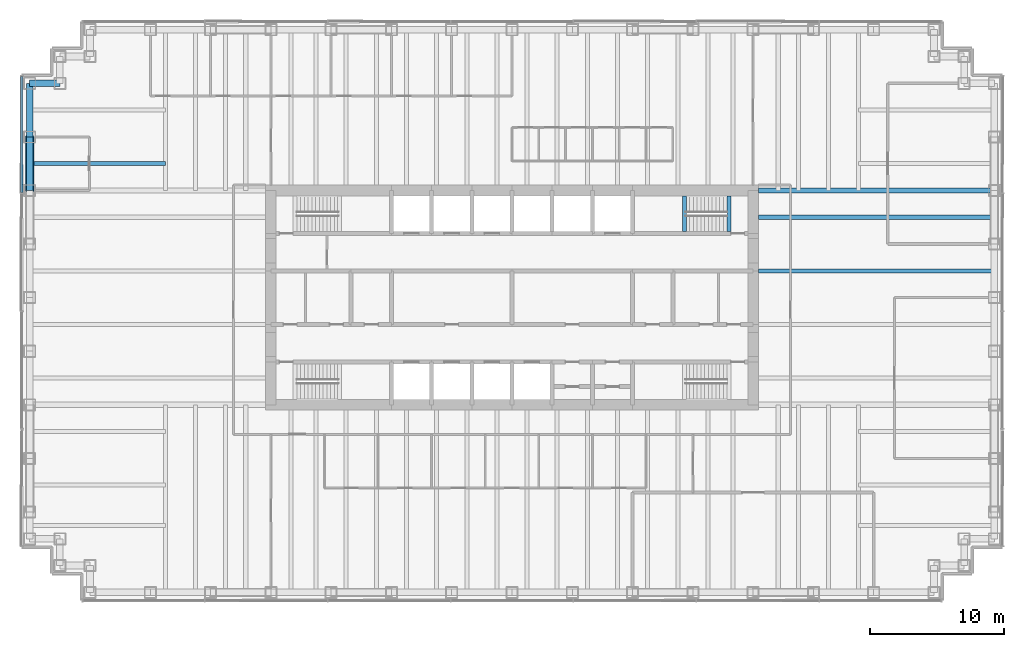
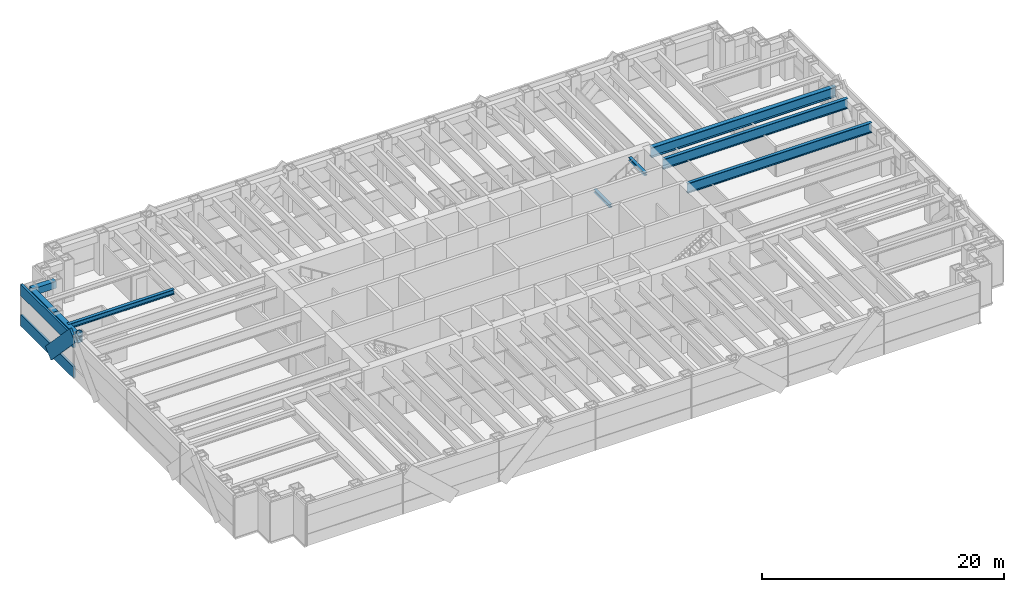
# One storey, part 4 of 12: 9 beams, 4 members, 1 element without a shape of its own.
"""IFC4 building model written with IfcOpenShell, lengths in metres."""

import ifcopenshell
import ifcopenshell.guid

model = None  # the IFC model being written
_history = None  # IfcOwnerHistory: only IFC2X3 demands one
_inside = {}  # id of a spatial element -> (the spatial element, [elements in it])
_under = {}  # id of a project, library or spatial element -> (it, [spatial elements below it])
_declared = {}  # id of a project -> (the project, [libraries it declares])
_typed = {}  # id of a type object -> (the type object, [elements of that type])
_made_of = {}  # id of a material, layer set ... -> (it, [elements and type objects made of it])


def new_model(schema):
    """Start an empty IFC model of exactly this schema.

    Asked for "IFC4X3", IfcOpenShell would pick the latest addendum, in which some entities
    have other attributes; the version numbers below select the first issue.
    IFC2X3 requires an IfcOwnerHistory on every rooted entity: one is made here for all.
    """
    global model, _history
    if schema == "IFC4X3":
        model = ifcopenshell.file(schema_version=(4, 3, 0, 0))
    else:
        model = ifcopenshell.file(schema=schema)
    _inside.clear()
    _under.clear()
    _declared.clear()
    _typed.clear()
    _made_of.clear()
    _history = None
    if model.schema == "IFC2X3":
        org = make("IfcOrganization", Name="unknown")
        user = make(
            "IfcPersonAndOrganization",
            ThePerson=make("IfcPerson", FamilyName="unknown"),
            TheOrganization=org,
        )
        app = make(
            "IfcApplication",
            ApplicationDeveloper=org,
            Version="unknown",
            ApplicationFullName="unknown",
            ApplicationIdentifier="unknown",
        )
        _history = make(
            "IfcOwnerHistory",
            OwningUser=user,
            OwningApplication=app,
            ChangeAction="ADDED",
            CreationDate=0,
        )
    return model


def make(cls, **values):
    """One entity of the class cls with the attributes given. An attribute that is None is left unset."""
    return model.create_entity(
        cls, **{name: value for name, value in values.items() if value is not None}
    )


def rooted(cls, **values):
    """An entity with a GlobalId (a new one), such as an element, a storey or a relation."""
    return make(cls, GlobalId=ifcopenshell.guid.new(), OwnerHistory=_history, **values)


def si_unit(unit_type, name, prefix=None):
    """IfcSIUnit, for example si_unit("LENGTHUNIT", "METRE", prefix="MILLI")."""
    return make("IfcSIUnit", UnitType=unit_type, Prefix=prefix, Name=name)


def assignment(units):
    """IfcUnitAssignment: the units of a project."""
    return None if units is None else make("IfcUnitAssignment", Units=units)


def point(xyz):
    """IfcCartesianPoint."""
    return None if xyz is None else make("IfcCartesianPoint", Coordinates=xyz)


def direction(xyz):
    """IfcDirection."""
    return None if xyz is None else make("IfcDirection", DirectionRatios=xyz)


def frame(location, z_axis=None, x_axis=None):
    """IfcAxis2Placement3D, a coordinate frame: its origin and axes. An axis left out is left unset."""
    return make(
        "IfcAxis2Placement3D",
        Location=point(location),
        Axis=direction(z_axis),
        RefDirection=direction(x_axis),
    )


def frame_2d(location, x_axis=None):
    """IfcAxis2Placement2D, a coordinate frame in the plane: its origin and x axis."""
    return make(
        "IfcAxis2Placement2D", Location=point(location), RefDirection=direction(x_axis)
    )


def origin():
    """The frame at (0, 0, 0) with its axes left unset."""
    return frame((0.0, 0.0, 0.0))


def origin_2d():
    """The frame at (0, 0) in the plane with its x axis left unset."""
    return frame_2d((0.0, 0.0))


def place(relative_to, where):
    """IfcLocalPlacement: puts the frame where relative to a parent placement (None: the world)."""
    return make(
        "IfcLocalPlacement", PlacementRelTo=relative_to, RelativePlacement=where
    )


def context(
    kind, dimensions, precision=None, world=None, true_north=None, identifier=None
):
    """IfcGeometricRepresentationContext, for example the 3D "Model" context."""
    return make(
        "IfcGeometricRepresentationContext",
        ContextIdentifier=identifier,
        ContextType=kind,
        CoordinateSpaceDimension=dimensions,
        Precision=precision,
        WorldCoordinateSystem=world,
        TrueNorth=true_north,
    )


def subcontext(parent, identifier, kind, view, scale=None):
    """IfcGeometricRepresentationSubContext, for example "Body" below "Model"."""
    return make(
        "IfcGeometricRepresentationSubContext",
        ContextIdentifier=identifier,
        ContextType=kind,
        ParentContext=parent,
        TargetScale=scale,
        TargetView=view,
    )


def project(units=None, contexts=None):
    """IfcProject with its units and contexts."""
    return rooted(
        "IfcProject",
        Name="project",
        RepresentationContexts=contexts,
        UnitsInContext=assignment(units),
    )


def spatial(cls, under=None, at=None, **own):
    """A site, building, storey or space (cls), placed at a placement, below another one or the project."""
    s = rooted(cls, ObjectPlacement=at, **own)
    if under is not None:
        _under.setdefault(under.id(), (under, []))[1].append(s)
    return s


def profile(cls, at=None, kind="AREA", **sizes):
    """A parametric profile (cls). Its sizes go by their IFC names, for example OverallWidth=200.0."""
    return make(cls, ProfileType=kind, Position=at, **sizes)


def rectangle(**sizes):
    """IfcRectangleProfileDef."""
    return profile("IfcRectangleProfileDef", **sizes)


def hollow_rectangle(**sizes):
    """IfcRectangleHollowProfileDef."""
    return profile("IfcRectangleHollowProfileDef", **sizes)


def hollow_circle(**sizes):
    """IfcCircleHollowProfileDef."""
    return profile("IfcCircleHollowProfileDef", **sizes)


def i_section(**sizes):
    """IfcIShapeProfileDef."""
    return profile("IfcIShapeProfileDef", **sizes)


def extrude(swept, where, along, depth):
    """IfcExtrudedAreaSolid: the profile swept, set in the frame where, extruded along a direction by depth."""
    return make(
        "IfcExtrudedAreaSolid",
        SweptArea=swept,
        Position=where,
        ExtrudedDirection=direction(along),
        Depth=depth,
    )


def shape(context_of_items, identifier, shape_type, items):
    """IfcShapeRepresentation: the items that make up one representation, for example the "Body"."""
    return make(
        "IfcShapeRepresentation",
        ContextOfItems=context_of_items,
        RepresentationIdentifier=identifier,
        RepresentationType=shape_type,
        Items=items,
    )


def material(Name=None, Category=None):
    """IfcMaterial."""
    return make("IfcMaterial", Name=Name, Category=Category)


def material_profile(
    of_material, cross_section, Name=None, Category=None, Priority=None
):
    """IfcMaterialProfile: a cross section and its material."""
    return make(
        "IfcMaterialProfile",
        Name=Name,
        Material=of_material,
        Profile=cross_section,
        Priority=Priority,
        Category=Category,
    )


def profile_set(profiles, Name=None, composite=None):
    """IfcMaterialProfileSet."""
    return make(
        "IfcMaterialProfileSet",
        Name=Name,
        MaterialProfiles=profiles,
        CompositeProfile=composite,
    )


def made_of(thing, what):
    """Note that an element or type object is made of a material, layer set ...; save() writes the relation."""
    if what is not None:
        _made_of.setdefault(what.id(), (what, []))[1].append(thing)
    return thing


def type_object(cls, material=None, **own):
    """A type object (cls), such as IfcWallType, which elements share."""
    return made_of(rooted(cls, **own), material)


def element(
    cls,
    number,
    at=None,
    inside=None,
    cuts=None,
    type_object=None,
    material=None,
    context=None,
    identifier="Body",
    shape_type=None,
    held_by="IfcProductDefinitionShape",
    body=None,
    shapes=None,
    **own,
):
    """One element of the class cls, such as IfcWall. Its Tag is "e" and its number.

    at: its placement. inside: the storey or other place that contains it. cuts: it is an
    opening in that element (IfcRelVoidsElement). A single representation is given by context,
    identifier, shape_type and body (its items); several are given by shapes. held_by: the class
    of the entity that holds the representations. save() writes the other relations.
    """
    e = rooted(cls, Tag="e%d" % number, ObjectPlacement=at, **own)
    if body is not None:
        shapes = [shape(context, identifier, shape_type, body)]
    if shapes is not None:
        e.Representation = make(held_by, Representations=shapes)
    if inside is not None:
        _inside.setdefault(inside.id(), (inside, []))[1].append(e)
    if cuts is not None:
        rooted(
            "IfcRelVoidsElement", RelatingBuildingElement=cuts, RelatedOpeningElement=e
        )
    if type_object is not None:
        _typed.setdefault(type_object.id(), (type_object, []))[1].append(e)
    return made_of(e, material)


def aggregate(whole, parts):
    """IfcRelAggregates: a whole, such as a stair, and the parts it consists of."""
    return rooted("IfcRelAggregates", RelatingObject=whole, RelatedObjects=parts)


def save(model, path):
    """Write the relations noted so far, then the file.

    IfcRelAggregates (storeys below a building ...), IfcRelContainedInSpatialStructure (elements
    in a storey), IfcRelDefinesByType, IfcRelAssociatesMaterial and IfcRelDeclares: one each for
    every whole, place, type object, material and project.
    """
    for whole, parts in _under.values():
        aggregate(whole, parts)
    for where, things in _inside.values():
        rooted(
            "IfcRelContainedInSpatialStructure",
            RelatedElements=things,
            RelatingStructure=where,
        )
    for kind, things in _typed.values():
        rooted("IfcRelDefinesByType", RelatedObjects=things, RelatingType=kind)
    for what, things in _made_of.values():
        rooted("IfcRelAssociatesMaterial", RelatedObjects=things, RelatingMaterial=what)
    for by, libraries in _declared.values():
        rooted("IfcRelDeclares", RelatingContext=by, RelatedDefinitions=libraries)
    model.write(path)


model = new_model("IFC4")

# Units and contexts
model_context = context("Model", 3, precision=1e-05, world=origin(), true_north=direction((0.0, 1.0)))
body_context = subcontext(model_context, "Body", "Model", "MODEL_VIEW")
ifc_project = project(units=[si_unit("LENGTHUNIT", "METRE"), si_unit("AREAUNIT", "SQUARE_METRE"), si_unit("VOLUMEUNIT", "CUBIC_METRE"), si_unit("PLANEANGLEUNIT", "RADIAN"), si_unit("MASSUNIT", "GRAM", prefix="KILO")], contexts=[model_context])

# Site, building, storey
site_placement = place(None, origin())
site = spatial("IfcSite", under=ifc_project, at=site_placement, CompositionType="ELEMENT")
building_placement = place(site_placement, origin())
building = spatial("IfcBuilding", under=site, at=building_placement, Name="Rheinbord Bourse Tower", CompositionType="ELEMENT")
storey_placement = place(building_placement, frame((0.0, 0.0, 261.39990234375)))
storey = spatial("IfcBuildingStorey", under=building, at=storey_placement, Name="L59", CompositionType="ELEMENT", Elevation=261.39990234375)

# Beams
ifc_material_1 = material(Name="Steel S460M", Category="steel")
ifc_material_profile_1 = material_profile(ifc_material_1, hollow_rectangle(XDim=0.5, YDim=0.699951171875, WallThickness=0.0400390625, at=origin_2d()), Name="BOX 700x500x40")
ifc_profile_set_1 = profile_set([ifc_material_profile_1], Name="Steel S460M")
beam_type_1 = type_object("IfcBeamType", Name="BELT CHORD BOX 700x500x40", PredefinedType="SPANDREL", material=ifc_profile_set_1)
beam_1_placement = place(storey_placement, frame((2.25, 40.0, 3.60009765625), z_axis=(-1.0, 0.0, 0.0), x_axis=(0.0, -1.0, 0.0)))
element("IfcBeam", 1, at=beam_1_placement, inside=storey, type_object=beam_type_1, Name="Spandrel NW-B-NW-A under L60", PredefinedType="SPANDREL", context=body_context, shape_type="SweptSolid", body=[
    extrude(hollow_rectangle(XDim=0.5, YDim=0.699951171875, WallThickness=0.0400390625, at=origin_2d()), origin(), (0.0, 0.0, 1.0), 2.25),
])
for number, where, z_axis, x_axis, name in (
    (2, (0.0, 40.0, 3.60009765625), (0.0, -1.0, 0.0), (1.0, 0.0, 0.0), "Spandrel NW-A-W-36 under L60"),
    (3, (0.0, 36.0, 3.60009765625), (0.0, -1.0, 0.0), (1.0, 0.0, 0.0), "Spandrel W-36-W-32 under L60"),
):
    element("IfcBeam", number, at=place(storey_placement, frame(where, z_axis=z_axis, x_axis=x_axis)), inside=storey, type_object=beam_type_1, Name=name, PredefinedType="SPANDREL", context=body_context, shape_type="SweptSolid", body=[
        extrude(hollow_rectangle(XDim=0.5, YDim=0.699951171875, WallThickness=0.0400390625, at=origin_2d()), origin(), (0.0, 0.0, 1.0), 4.0),
    ])

# Curtain wall, members
ifc_material_2 = material(Name="Dark glass and black aluminium", Category="aluminium")
curtain_wall_type = type_object("IfcCurtainWallType", Name="CW5 DARK GLASS CURTAIN WALL", PredefinedType="USERDEFINED", material=ifc_material_2)
curtain_wall_placement = place(storey_placement, origin())
curtain_wall = element("IfcCurtainWall", 4, at=curtain_wall_placement, inside=storey, type_object=curtain_wall_type, Name="Curtain wall CW5 W L59", ObjectType="UNITISED CURTAIN WALL", PredefinedType="USERDEFINED")
ifc_material_3 = material(Name="Black anodised aluminium", Category="aluminium")
ifc_material_profile_2 = material_profile(ifc_material_3, rectangle(XDim=0.199951171875, YDim=1.259033203125, at=origin_2d()), Name="CW5 DIAGONAL MULLION 1259x200")
ifc_profile_set_2 = profile_set([ifc_material_profile_2], Name="Black anodised aluminium")
member_type_1 = type_object("IfcMemberType", Name="CW5 BLACK DIAGONAL MULLION", PredefinedType="USERDEFINED", material=ifc_profile_set_2)
member_1_placement = place(storey_placement, frame((-0.60009765625, 36.0, 0.0), z_axis=(0.0, -0.689638355374, 0.72415394689), x_axis=(1.0, 0.0, 0.0)))
member_1 = element("IfcMember", 5, at=member_1_placement, type_object=member_type_1, Name="CW5 diagonal mullion c", ObjectType="DIAGONAL MULLION", PredefinedType="USERDEFINED", context=body_context, shape_type="SweptSolid", body=[
    extrude(rectangle(XDim=0.199951171875, YDim=1.259033203125, at=origin_2d()), origin(), (0.0, 0.0, 1.0), 5.800048828125),
])
ifc_material_4 = material(Name="Black anodised aluminium", Category="aluminium")
ifc_material_profile_3 = material_profile(ifc_material_4, rectangle(XDim=0.199951171875, YDim=1.14990234375, at=origin_2d()), Name="CW5 TRANSOM 1150x200")
ifc_profile_set_3 = profile_set([ifc_material_profile_3], Name="Black anodised aluminium")
member_type_2 = type_object("IfcMemberType", Name="CW5 BLACK TRANSOM", PredefinedType="USERDEFINED", material=ifc_profile_set_3)
member_2_placement = place(storey_placement, frame((-0.60009765625, 40.52001953125, 0.5751953125), z_axis=(0.0, -1.0, 0.0), x_axis=(1.0, 0.0, 0.0)))
member_2 = element("IfcMember", 6, at=member_2_placement, type_object=member_type_2, Name="CW5 transom 1.1", ObjectType="TRANSOM", PredefinedType="USERDEFINED", context=body_context, shape_type="SweptSolid", body=[
    extrude(rectangle(XDim=0.199951171875, YDim=1.14990234375, at=origin_2d()), origin(), (0.0, 0.0, 1.0), 8.679931640625),
])
member_3_placement = place(storey_placement, frame((-0.60009765625, 40.52001953125, 3.625), z_axis=(0.0, -1.0, 0.0), x_axis=(1.0, 0.0, 0.0)))
member_3 = element("IfcMember", 7, at=member_3_placement, type_object=member_type_2, Name="CW5 transom 1.2", ObjectType="TRANSOM", PredefinedType="USERDEFINED", context=body_context, shape_type="SweptSolid", body=[
    extrude(rectangle(XDim=0.199951171875, YDim=1.14990234375, at=origin_2d()), origin(), (0.0, 0.0, 1.0), 8.679931640625),
])
aggregate(curtain_wall, [member_2, member_3, member_1])

# Beams
ifc_material_5 = material(Name="Steel S460", Category="steel")
ifc_material_profile_4 = material_profile(ifc_material_5, i_section(OverallWidth=0.302001953125, OverallDepth=1.008056640625, WebThickness=0.02099609375, FlangeThickness=0.0400390625, at=origin_2d()), Name="HEM 1000")
ifc_profile_set_4 = profile_set([ifc_material_profile_4], Name="Steel S460")
beam_type_2 = type_object("IfcBeamType", Name="END BEAM HEM 1000", PredefinedType="BEAM", material=ifc_profile_set_4)
for number, where, z_axis, x_axis, name in (
    (8, (54.39990234375, 26.0, 3.446044921875), (1.0, 0.0, 0.0), (0.0, 1.0, 0.0), "End beam east 26 L60"),
    (9, (54.39990234375, 30.0, 3.446044921875), (1.0, 0.0, 0.0), (0.0, 1.0, 0.0), "End beam east 30 L60"),
):
    element("IfcBeam", number, at=place(storey_placement, frame(where, z_axis=z_axis, x_axis=x_axis)), inside=storey, type_object=beam_type_2, Name=name, PredefinedType="BEAM", context=body_context, shape_type="SweptSolid", body=[
        extrude(i_section(OverallWidth=0.302001953125, OverallDepth=1.008056640625, WebThickness=0.02099609375, FlangeThickness=0.0400390625, at=origin_2d()), origin(), (0.0, 0.0, 1.0), 17.60009765625),
    ])
ifc_material_6 = material(Name="Steel S460", Category="steel")
ifc_material_profile_5 = material_profile(ifc_material_6, i_section(OverallWidth=0.404052734375, OverallDepth=1.02001953125, WebThickness=0.025390625, FlangeThickness=0.0458984375, at=origin_2d()), Name="HL 1000 x 483")
ifc_profile_set_5 = profile_set([ifc_material_profile_5], Name="Steel S460")
beam_type_3 = type_object("IfcBeamType", Name="GIRDER HL 1000 x 483", PredefinedType="BEAM", material=ifc_profile_set_5)
beam_2_placement = place(storey_placement, frame((54.39990234375, 32.0, 3.440185546875), z_axis=(1.0, 0.0, 0.0), x_axis=(0.0, 1.0, 0.0)))
element("IfcBeam", 10, at=beam_2_placement, inside=storey, type_object=beam_type_3, Name="Girder east 32 L60", PredefinedType="BEAM", context=body_context, shape_type="SweptSolid", body=[
    extrude(i_section(OverallWidth=0.404052734375, OverallDepth=1.02001953125, WebThickness=0.025390625, FlangeThickness=0.0458984375, at=origin_2d()), origin(), (0.0, 0.0, 1.0), 17.60009765625),
])
ifc_material_7 = material(Name="Steel S460", Category="steel")
ifc_material_profile_6 = material_profile(ifc_material_7, i_section(OverallWidth=0.300048828125, OverallDepth=0.300048828125, WebThickness=0.010986328125, FlangeThickness=0.01904296875, at=origin_2d()), Name="HEB 300")
ifc_profile_set_6 = profile_set([ifc_material_profile_6], Name="Steel S460")
beam_type_4 = type_object("IfcBeamType", Name="LANDING TRIMMER HEB 300", PredefinedType="BEAM", material=ifc_profile_set_6)
for number, where, z_axis, x_axis, name in (
    (11, (48.8701171875, 28.949951171875, 1.75), (0.0, 1.0, 0.0), (-1.0, 0.0, 0.0), "Landing trimmer ST4 L59"),
    (12, (52.199951171875, 28.949951171875, 3.800048828125), (0.0, 1.0, 0.0), (-1.0, 0.0, 0.0), "Well trimmer ST4 under L60"),
):
    element("IfcBeam", number, at=place(storey_placement, frame(where, z_axis=z_axis, x_axis=x_axis)), inside=storey, type_object=beam_type_4, Name=name, PredefinedType="BEAM", context=body_context, shape_type="SweptSolid", body=[
        extrude(i_section(OverallWidth=0.300048828125, OverallDepth=0.300048828125, WebThickness=0.010986328125, FlangeThickness=0.01904296875, at=origin_2d()), origin(), (0.0, 0.0, 1.0), 2.650146484375),
    ])

# Member
ifc_material_8 = material(Name="Steel S460", Category="steel")
ifc_material_profile_7 = material_profile(ifc_material_8, hollow_circle(Radius=0.304931640625, WallThickness=0.0400390625, at=origin_2d()), Name="CHS 610x40")
ifc_profile_set_7 = profile_set([ifc_material_profile_7], Name="Steel S460")
member_type_3 = type_object("IfcMemberType", Name="MEGABRACE CHS 610x40", PredefinedType="BRACE", material=ifc_profile_set_7)
member_4_placement = place(storey_placement, frame((0.0, 36.0, 0.0), z_axis=(0.0, -0.689638355374, 0.72415394689), x_axis=(1.0, 0.0, 0.0)))
element("IfcMember", 13, at=member_4_placement, inside=storey, type_object=member_type_3, Name="Megabrace W face line c L59", PredefinedType="BRACE", context=body_context, shape_type="SweptSolid", body=[
    extrude(hollow_circle(Radius=0.304931640625, WallThickness=0.0400390625, at=origin_2d()), origin(), (0.0, 0.0, 1.0), 5.800048828125),
])

# Beam
ifc_material_9 = material(Name="Steel S460", Category="steel")
ifc_material_profile_8 = material_profile(ifc_material_9, i_section(OverallWidth=0.300048828125, OverallDepth=0.5, WebThickness=0.014404296875, FlangeThickness=0.028076171875, at=origin_2d()), Name="HEB 500")
ifc_profile_set_8 = profile_set([ifc_material_profile_8], Name="Steel S460")
beam_type_5 = type_object("IfcBeamType", Name="TIE BEAM HEB 500", PredefinedType="JOIST", material=ifc_profile_set_8)
beam_3_placement = place(storey_placement, frame((0.0, 34.0, 3.7001953125), z_axis=(1.0, 0.0, 0.0), x_axis=(0.0, 1.0, 0.0)))
element("IfcBeam", 14, at=beam_3_placement, inside=storey, type_object=beam_type_5, Name="Tie west 34 L60", PredefinedType="JOIST", context=body_context, shape_type="SweptSolid", body=[
    extrude(i_section(OverallWidth=0.300048828125, OverallDepth=0.5, WebThickness=0.014404296875, FlangeThickness=0.028076171875, at=origin_2d()), origin(), (0.0, 0.0, 1.0), 10.125),
])

save(model, "model.ifc")
